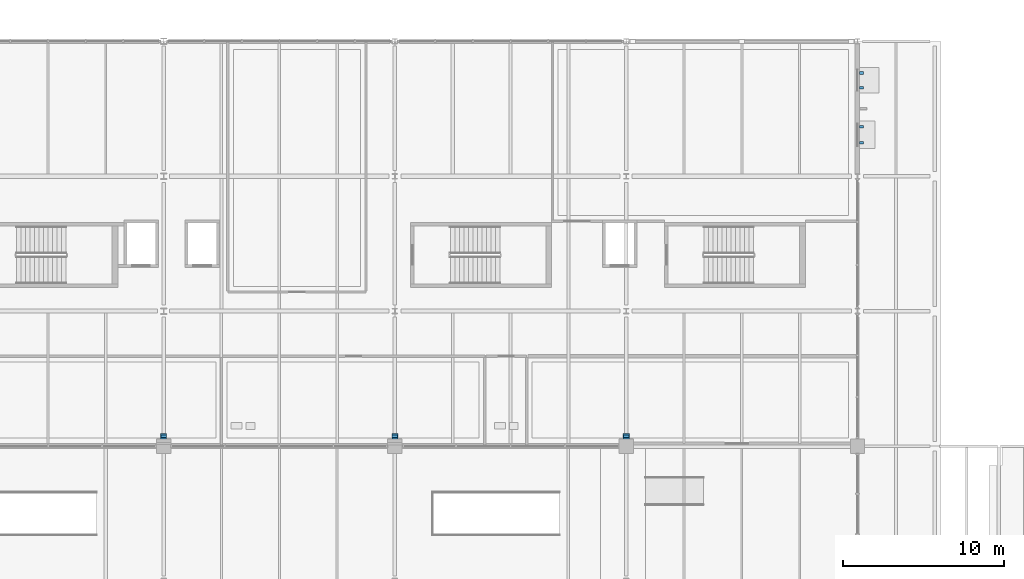
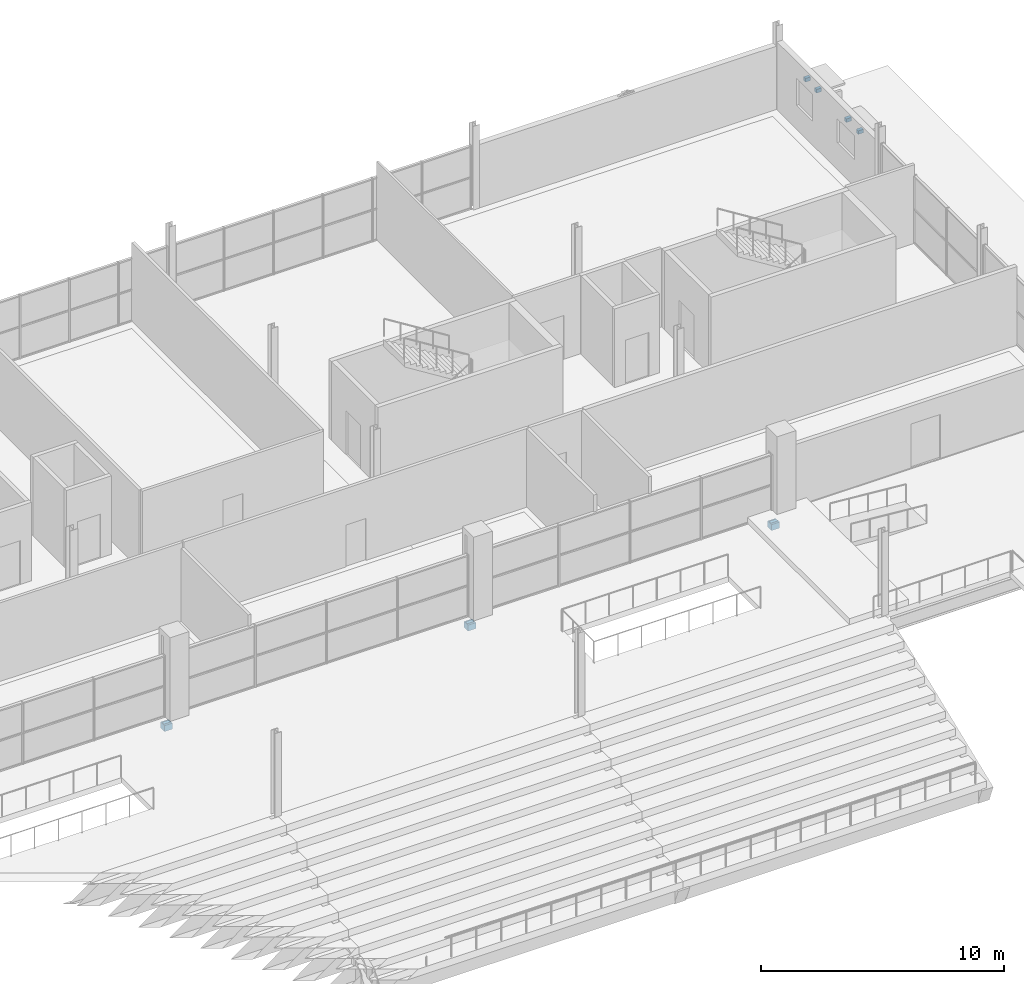
# One storey, part 145 of 161: 10 discrete accessories.
"""IFC4 building model written with IfcOpenShell, lengths in metres."""

from ifc_helpers import new_model, si_unit, direction, frame, origin, origin_2d, place, context, subcontext, project, spatial, rectangle, extrude, material, layer, layer_set, type_object, element, save


model = new_model("IFC4")

# Units and contexts
model_context = context("Model", 3, precision=1e-05, world=origin(), true_north=direction((0.0, 1.0)))
body_context = subcontext(model_context, "Body", "Model", "MODEL_VIEW")
ifc_project = project(units=[si_unit("LENGTHUNIT", "METRE"), si_unit("AREAUNIT", "SQUARE_METRE"), si_unit("VOLUMEUNIT", "CUBIC_METRE"), si_unit("PLANEANGLEUNIT", "RADIAN"), si_unit("MASSUNIT", "GRAM", prefix="KILO"), si_unit("THERMODYNAMICTEMPERATUREUNIT", "KELVIN")], contexts=[model_context])

# Site, building, storey
site_placement = place(None, origin())
site = spatial("IfcSite", under=ifc_project, at=site_placement, CompositionType="ELEMENT")
building_placement = place(site_placement, origin())
building = spatial("IfcBuilding", under=site, at=building_placement, Name="Nduvali Passage Aquatics Centre", CompositionType="ELEMENT")
storey_placement = place(building_placement, frame((0.0, 0.0, 4.800048828125)))
storey = spatial("IfcBuildingStorey", under=building, at=storey_placement, Name="L01", CompositionType="ELEMENT", Elevation=4.800048828125)

# Discrete accessories
ifc_material_1 = material(Name="Steel S355", Category="steel")
discrete_accessory_type_1 = type_object("IfcDiscreteAccessoryType", Name="ENV-BRK-S355", PredefinedType="BRACKET", material=ifc_material_1)
for number, where, z_axis, x_axis, name in (
    (1, (126.25, 111.294189453125, 2.43505859375), (0.0, 0.0, 1.0), (0.0, 1.0, 0.0), "L01 Sunshade Bracket 0123"),
    (2, (126.25, 112.2744140625, 2.43505859375), (0.0, 0.0, 1.0), (0.0, 1.0, 0.0), "L01 Sunshade Bracket 0124"),
    (3, (126.25, 114.722412109375, 2.43017578125), (0.0, 0.0, 1.0), (0.0, 1.0, 0.0), "L01 Sunshade Bracket 0125"),
    (4, (126.25, 115.63232421875, 2.43017578125), (0.0, 0.0, 1.0), (0.0, 1.0, 0.0), "L01 Sunshade Bracket 0126"),
):
    element("IfcDiscreteAccessory", number, at=place(storey_placement, frame(where, z_axis=z_axis, x_axis=x_axis)), inside=storey, type_object=discrete_accessory_type_1, Name=name, PredefinedType="BRACKET", context=body_context, shape_type="SweptSolid", body=[
        extrude(rectangle(XDim=0.159912109375, YDim=0.239990234375, at=origin_2d()), origin(), (0.0, 0.0, 1.0), 0.179931640625),
    ])
ifc_material_2 = material(Name="Concrete C40/50", Category="concrete")
discrete_accessory_type_2 = type_object("IfcDiscreteAccessoryType", Name="STR-ACC-CRB320", PredefinedType="BRACKET", material=ifc_material_2)
for number, where, z_axis, x_axis, name in (
    (5, (82.800048828125, 93.010009765625, -1.1455078125), (0.0, 0.0, 1.0), (0.0, 1.0, 0.0), "L01 Movement Joint MJ2 RC Corbel CRB1-008"),
    (6, (97.199951171875, 93.010009765625, -1.1455078125), (0.0, 0.0, 1.0), (0.0, 1.0, 0.0), "L01 Movement Joint MJ2 RC Corbel CRB1-009"),
    (7, (111.60009765625, 93.010009765625, -1.1455078125), (0.0, 0.0, 1.0), (0.0, 1.0, 0.0), "L01 Movement Joint MJ2 RC Corbel CRB1-010"),
):
    element("IfcDiscreteAccessory", number, at=place(storey_placement, frame(where, z_axis=z_axis, x_axis=x_axis)), inside=storey, type_object=discrete_accessory_type_2, Name=name, PredefinedType="BRACKET", context=body_context, shape_type="SweptSolid", body=[
        extrude(rectangle(XDim=0.320068359375, YDim=0.3798828125, at=origin_2d()), origin(), (0.0, 0.0, 1.0), 0.300048828125),
    ])
ifc_layer = layer(ifc_material_1, 0.02197265625, Name="Steel S355")
ifc_layer_set = layer_set([ifc_layer], Name="Steel S355")
discrete_accessory_type_3 = type_object("IfcDiscreteAccessoryType", Name="STR-ACC-PTFE140", PredefinedType="SHOE", material=ifc_layer_set)
for number, where, z_axis, x_axis, name in (
    (8, (82.800048828125, 93.010009765625, -0.845458984375), (0.0, 0.0, 1.0), (0.0, 1.0, 0.0), "L01 Movement Joint MJ2 PTFE Bearing Pad PTFE1-008"),
    (9, (97.199951171875, 93.010009765625, -0.845458984375), (0.0, 0.0, 1.0), (0.0, 1.0, 0.0), "L01 Movement Joint MJ2 PTFE Bearing Pad PTFE1-009"),
    (10, (111.60009765625, 93.010009765625, -0.845458984375), (0.0, 0.0, 1.0), (0.0, 1.0, 0.0), "L01 Movement Joint MJ2 PTFE Bearing Pad PTFE1-010"),
):
    element("IfcDiscreteAccessory", number, at=place(storey_placement, frame(where, z_axis=z_axis, x_axis=x_axis)), inside=storey, type_object=discrete_accessory_type_3, Name=name, PredefinedType="SHOE", context=body_context, shape_type="SweptSolid", body=[
        extrude(rectangle(XDim=0.139892578125, YDim=0.340087890625, at=origin_2d()), origin(), (0.0, 0.0, 1.0), 0.02197265625),
    ])

save(model, "model.ifc")
